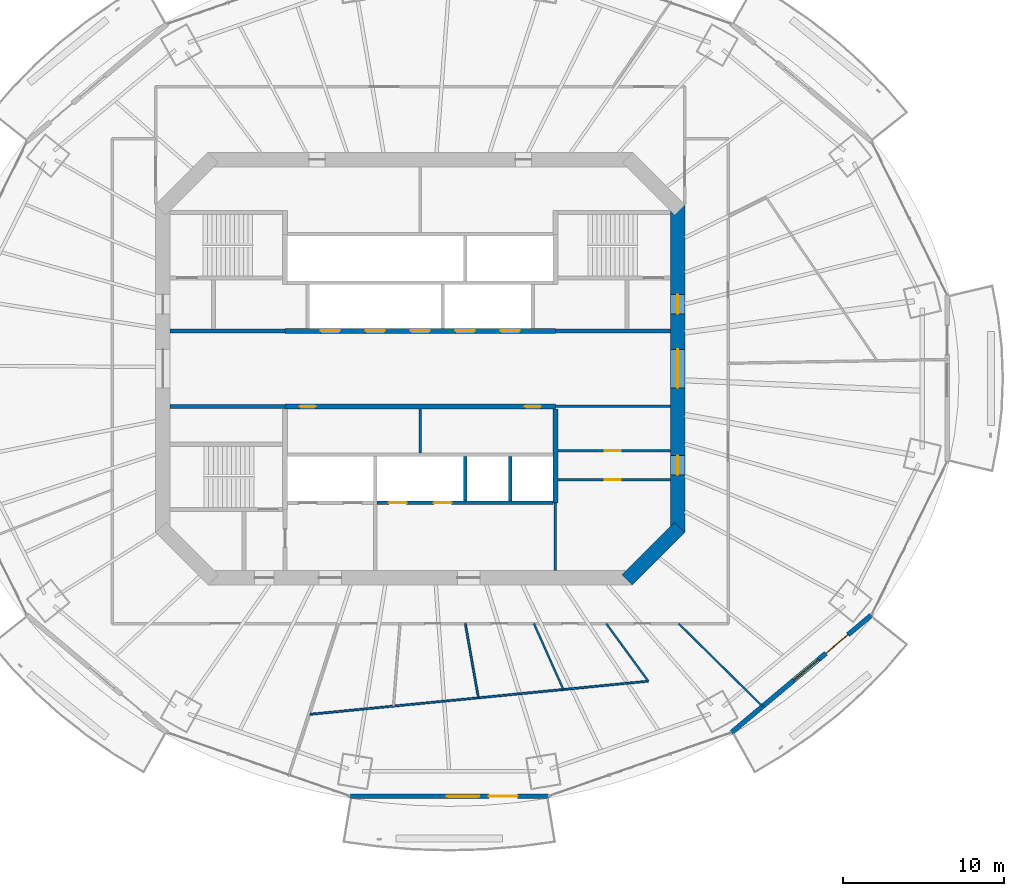
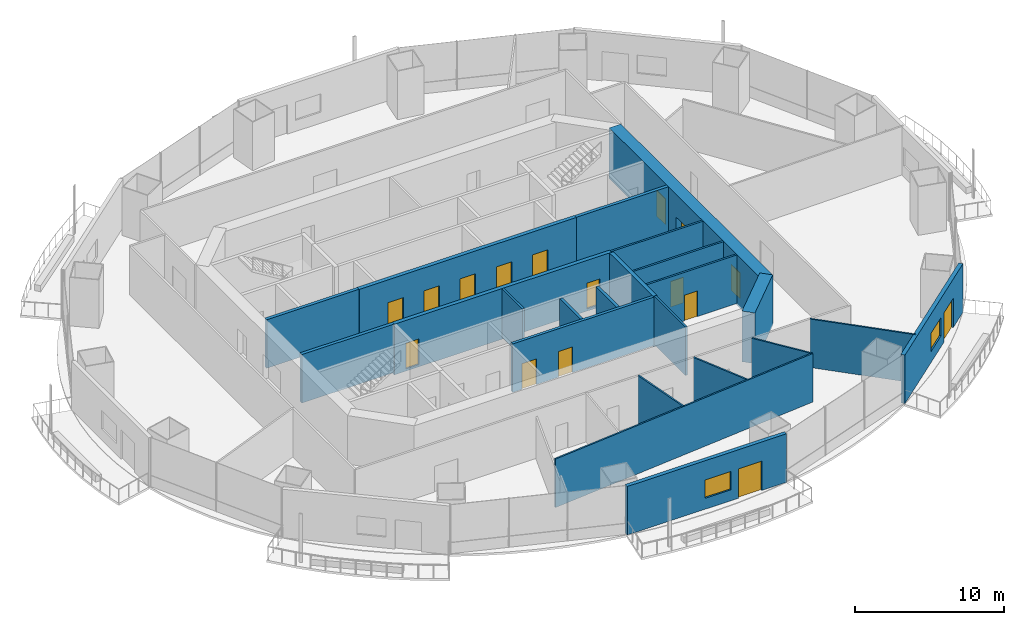
# One storey, part 13 of 21: 23 walls, 16 doors, 2 windows, 18 openings.
"""IFC4 building model written with IfcOpenShell, lengths in metres."""

from ifc_helpers import new_model, si_unit, direction, frame, frame_2d, origin, place, context, subcontext, project, spatial, rectangle, extrude, material, layer, layer_set, type_object, element, fill, save


model = new_model("IFC4")

# Units and contexts
model_context = context("Model", 3, precision=1e-05, world=origin(), true_north=direction((0.0, 1.0)))
body_context = subcontext(model_context, "Body", "Model", "MODEL_VIEW")
ifc_project = project(units=[si_unit("LENGTHUNIT", "METRE"), si_unit("AREAUNIT", "SQUARE_METRE"), si_unit("VOLUMEUNIT", "CUBIC_METRE"), si_unit("PLANEANGLEUNIT", "RADIAN"), si_unit("MASSUNIT", "GRAM", prefix="KILO")], contexts=[model_context])

# Site, building, storey
site_placement = place(None, origin())
site = spatial("IfcSite", under=ifc_project, at=site_placement, CompositionType="ELEMENT")
building_placement = place(site_placement, origin())
building = spatial("IfcBuilding", under=site, at=building_placement, Name="Marenthal Gate Tower", CompositionType="ELEMENT")
storey_placement = place(building_placement, frame((0.0, 0.0, 206.699951171875)))
storey = spatial("IfcBuildingStorey", under=building, at=storey_placement, Name="L45", CompositionType="ELEMENT", Elevation=206.699951171875)

# Wall
ifc_material_1 = material(Name="Concrete 60 MPa", Category="concrete")
ifc_layer_1 = layer(ifc_material_1, 0.89990234375)
ifc_layer_set_1 = layer_set([ifc_layer_1], Name="Core shear wall 900")
wall_type_1 = type_object("IfcWallType", Name="Core shear wall 900", PredefinedType="SHEAR", material=ifc_layer_set_1)
wall_1_placement = place(storey_placement, frame((12.8681640625, -13.1318359375, -0.179931640625), z_axis=(0.0, 0.0, 1.0), x_axis=(0.707106781187, 0.707106781187, 0.0)))
element("IfcWall", 1, at=wall_1_placement, inside=storey, type_object=wall_type_1, Name="Core wall 01", PredefinedType="SHEAR", context=body_context, shape_type="SweptSolid", body=[
    extrude(rectangle(XDim=4.615478515625, YDim=0.89990234375, at=frame_2d((2.3076171875, 0.0))), origin(), (0.0, 0.0, 1.0), 4.14990234375),
])

# Wall, openings, doors
wall_2_placement = place(storey_placement, frame((16.0, -10.186279296875, -0.179931640625), z_axis=(0.0, 0.0, 1.0), x_axis=(0.0, 1.0, 0.0)))
wall_2 = element("IfcWall", 2, at=wall_2_placement, inside=storey, type_object=wall_type_1, Name="Core wall 02", PredefinedType="SHEAR", context=body_context, shape_type="SweptSolid", body=[
    extrude(rectangle(XDim=20.37255859375, YDim=0.89990234375, at=frame_2d((10.186279296875, 0.0))), origin(), (0.0, 0.0, 1.0), 4.14990234375),
])
opening_1_placement = place(wall_2_placement, frame((8.986328125, 0.0, 0.179931640625)))
opening_1 = element("IfcOpeningElement", 3, at=opening_1_placement, cuts=wall_2, Name="Opening D003.02", PredefinedType="OPENING", context=body_context, shape_type="SweptSolid", body=[
    extrude(rectangle(XDim=2.39990234375, YDim=2.10009765625, at=frame_2d((1.199951171875, 1.050048828125))), frame((0.0, 0.4599609375, 0.0), z_axis=(0.0, -1.0, 0.0), x_axis=(1.0, 0.0, 0.0)), (0.0, 0.0, 1.0), 0.919921875),
])
opening_2_placement = place(wall_2_placement, frame((13.58642578125, 0.0, 0.179931640625)))
opening_2 = element("IfcOpeningElement", 4, at=opening_2_placement, cuts=wall_2, Name="Opening D001.05", PredefinedType="OPENING", context=body_context, shape_type="SweptSolid", body=[
    extrude(rectangle(XDim=1.199951171875, YDim=2.10009765625, at=frame_2d((0.60009765625, 1.050048828125))), frame((0.0, 0.4599609375, 0.0), z_axis=(0.0, -1.0, 0.0), x_axis=(1.0, 0.0, 0.0)), (0.0, 0.0, 1.0), 0.919921875),
])
opening_3_placement = place(wall_2_placement, frame((3.58642578125, 0.0, 0.179931640625)))
opening_3 = element("IfcOpeningElement", 5, at=opening_3_placement, cuts=wall_2, Name="Opening D006.01", PredefinedType="OPENING", context=body_context, shape_type="SweptSolid", body=[
    extrude(rectangle(XDim=1.199951171875, YDim=2.10009765625, at=frame_2d((0.60009765625, 1.050048828125))), frame((0.0, 0.4599609375, 0.0), z_axis=(0.0, -1.0, 0.0), x_axis=(1.0, 0.0, 0.0)), (0.0, 0.0, 1.0), 0.919921875),
])
ifc_material_2 = material(Name="Steel fire door", Category="steel")
door_type_1 = type_object("IfcDoorType", Name="Double fire door FD 45 2400 x 2100", OperationType="DOUBLE_DOOR_SINGLE_SWING", PredefinedType="DOOR", material=ifc_material_2)
door_1_placement = place(opening_1_placement, origin())
door_1 = element("IfcDoor", 6, at=door_1_placement, inside=storey, type_object=door_type_1, Name="Door D003.02", OperationType="DOUBLE_DOOR_SINGLE_SWING", OverallHeight=2.10009765625, OverallWidth=2.39990234375, PredefinedType="DOOR", context=body_context, shape_type="SweptSolid", body=[
    extrude(rectangle(XDim=2.39990234375, YDim=2.10009765625, at=frame_2d((1.199951171875, 1.050048828125))), frame((0.0, 0.02490234375, 0.0), z_axis=(0.0, -1.0, 0.0), x_axis=(1.0, 0.0, 0.0)), (0.0, 0.0, 1.0), 0.050048828125),
])
fill(opening_1, door_1)
ifc_material_3 = material(Name="Steel fire door", Category="steel")
door_type_2 = type_object("IfcDoorType", Name="Fire door FD 45 1200 x 2100", OperationType="NOTDEFINED", PredefinedType="DOOR", material=ifc_material_3)
door_2_placement = place(opening_3_placement, origin())
door_2 = element("IfcDoor", 7, at=door_2_placement, inside=storey, type_object=door_type_2, Name="Door D006.01", OperationType="SINGLE_SWING_RIGHT", OverallHeight=2.10009765625, OverallWidth=1.199951171875, PredefinedType="DOOR", context=body_context, shape_type="SweptSolid", body=[
    extrude(rectangle(XDim=1.199951171875, YDim=2.10009765625, at=frame_2d((0.60009765625, 1.050048828125))), frame((0.0, 0.02490234375, 0.0), z_axis=(0.0, -1.0, 0.0), x_axis=(1.0, 0.0, 0.0)), (0.0, 0.0, 1.0), 0.050048828125),
])
fill(opening_3, door_2)
ifc_material_4 = material(Name="Steel fire door", Category="steel")
door_type_3 = type_object("IfcDoorType", Name="Fire door FD 90 1200 x 2100", OperationType="NOTDEFINED", PredefinedType="DOOR", material=ifc_material_4)
door_3_placement = place(opening_2_placement, origin())
door_3 = element("IfcDoor", 8, at=door_3_placement, inside=storey, type_object=door_type_3, Name="Door D001.05", OperationType="SINGLE_SWING_RIGHT", OverallHeight=2.10009765625, OverallWidth=1.199951171875, PredefinedType="DOOR", context=body_context, shape_type="SweptSolid", body=[
    extrude(rectangle(XDim=1.199951171875, YDim=2.10009765625, at=frame_2d((0.60009765625, 1.050048828125))), frame((0.0, 0.02490234375, 0.0), z_axis=(0.0, -1.0, 0.0), x_axis=(1.0, 0.0, 0.0)), (0.0, 0.0, 1.0), 0.050048828125),
])
fill(opening_2, door_3)

ifc_material_5 = material(Name="Concrete 50 MPa", Category="concrete")
ifc_layer_2 = layer(ifc_material_5, 0.300048828125)
ifc_layer_set_2 = layer_set([ifc_layer_2], Name="Hoistway shear wall 300")
wall_type_2 = type_object("IfcWallType", Name="Hoistway shear wall 300", PredefinedType="SHEAR", material=ifc_layer_set_2)
wall_3_placement = place(storey_placement, frame((-8.39990234375, -2.35009765625, -0.179931640625), z_axis=(0.0, 0.0, 1.0), x_axis=(1.0, 0.0, 0.0)))
wall_3 = element("IfcWall", 9, at=wall_3_placement, inside=storey, type_object=wall_type_2, Name="Hoistway wall 17", PredefinedType="SHEAR", context=body_context, shape_type="SweptSolid", body=[
    extrude(rectangle(XDim=16.7998046875, YDim=0.300048828125, at=frame_2d((8.39990234375, 0.0))), origin(), (0.0, 0.0, 1.0), 4.14990234375),
])
opening_4_placement = place(wall_3_placement, frame((0.89990234375, 0.0, 0.179931640625)))
opening_4 = element("IfcOpeningElement", 10, at=opening_4_placement, cuts=wall_3, Name="Opening D005.01", PredefinedType="OPENING", context=body_context, shape_type="SweptSolid", body=[
    extrude(rectangle(XDim=1.0, YDim=2.10009765625, at=frame_2d((0.5, 1.050048828125))), frame((0.0, 0.16015625, 0.0), z_axis=(0.0, -1.0, 0.0), x_axis=(1.0, 0.0, 0.0)), (0.0, 0.0, 1.0), 0.320068359375),
])
opening_5_placement = place(wall_3_placement, frame((14.89990234375, 0.0, 0.179931640625)))
opening_5 = element("IfcOpeningElement", 11, at=opening_5_placement, cuts=wall_3, Name="Opening D005.02", PredefinedType="OPENING", context=body_context, shape_type="SweptSolid", body=[
    extrude(rectangle(XDim=1.0, YDim=2.10009765625, at=frame_2d((0.5, 1.050048828125))), frame((0.0, 0.16015625, 0.0), z_axis=(0.0, -1.0, 0.0), x_axis=(1.0, 0.0, 0.0)), (0.0, 0.0, 1.0), 0.320068359375),
])
ifc_material_6 = material(Name="Steel fire door", Category="steel")
door_type_4 = type_object("IfcDoorType", Name="Fire door FD 45 1000 x 2100", OperationType="NOTDEFINED", PredefinedType="DOOR", material=ifc_material_6)
door_4_placement = place(opening_4_placement, frame((1.0, 0.0, 0.0), z_axis=(0.0, 0.0, 1.0), x_axis=(-1.0, 0.0, 0.0)))
door_4 = element("IfcDoor", 12, at=door_4_placement, inside=storey, type_object=door_type_4, Name="Door D005.01", OperationType="SINGLE_SWING_LEFT", OverallHeight=2.10009765625, OverallWidth=1.0, PredefinedType="DOOR", context=body_context, shape_type="SweptSolid", body=[
    extrude(rectangle(XDim=1.0, YDim=2.10009765625, at=frame_2d((0.5, 1.050048828125))), frame((0.0, 0.02490234375, 0.0), z_axis=(0.0, -1.0, 0.0), x_axis=(1.0, 0.0, 0.0)), (0.0, 0.0, 1.0), 0.050048828125),
])
fill(opening_4, door_4)
door_5_placement = place(opening_5_placement, frame((1.0, 0.0, 0.0), z_axis=(0.0, 0.0, 1.0), x_axis=(-1.0, 0.0, 0.0)))
door_5 = element("IfcDoor", 13, at=door_5_placement, inside=storey, type_object=door_type_4, Name="Door D005.02", OperationType="SINGLE_SWING_LEFT", OverallHeight=2.10009765625, OverallWidth=1.0, PredefinedType="DOOR", context=body_context, shape_type="SweptSolid", body=[
    extrude(rectangle(XDim=1.0, YDim=2.10009765625, at=frame_2d((0.5, 1.050048828125))), frame((0.0, 0.02490234375, 0.0), z_axis=(0.0, -1.0, 0.0), x_axis=(1.0, 0.0, 0.0)), (0.0, 0.0, 1.0), 0.050048828125),
])
fill(opening_5, door_5)

wall_4_placement = place(storey_placement, frame((-8.39990234375, 2.35009765625, -0.179931640625), z_axis=(0.0, 0.0, 1.0), x_axis=(1.0, 0.0, 0.0)))
wall_4 = element("IfcWall", 14, at=wall_4_placement, inside=storey, type_object=wall_type_2, Name="Hoistway wall 20", PredefinedType="SHEAR", context=body_context, shape_type="SweptSolid", body=[
    extrude(rectangle(XDim=16.7998046875, YDim=0.300048828125, at=frame_2d((8.39990234375, 0.0))), origin(), (0.0, 0.0, 1.0), 4.14990234375),
])
opening_6_placement = place(wall_4_placement, frame((2.199951171875, 0.0, 0.179931640625)))
opening_6 = element("IfcOpeningElement", 15, at=opening_6_placement, cuts=wall_4, Name="Opening LD-MP1", PredefinedType="OPENING", context=body_context, shape_type="SweptSolid", body=[
    extrude(rectangle(XDim=1.199951171875, YDim=2.10009765625, at=frame_2d((0.60009765625, 1.050048828125))), frame((0.0, 0.16015625, 0.0), z_axis=(0.0, -1.0, 0.0), x_axis=(1.0, 0.0, 0.0)), (0.0, 0.0, 1.0), 0.320068359375),
])
opening_7_placement = place(wall_4_placement, frame((5.0, 0.0, 0.179931640625)))
opening_7 = element("IfcOpeningElement", 16, at=opening_7_placement, cuts=wall_4, Name="Opening LD-MP2", PredefinedType="OPENING", context=body_context, shape_type="SweptSolid", body=[
    extrude(rectangle(XDim=1.199951171875, YDim=2.10009765625, at=frame_2d((0.60009765625, 1.050048828125))), frame((0.0, 0.16015625, 0.0), z_axis=(0.0, -1.0, 0.0), x_axis=(1.0, 0.0, 0.0)), (0.0, 0.0, 1.0), 0.320068359375),
])
opening_8_placement = place(wall_4_placement, frame((7.800048828125, 0.0, 0.179931640625)))
opening_8 = element("IfcOpeningElement", 17, at=opening_8_placement, cuts=wall_4, Name="Opening LD-MP3", PredefinedType="OPENING", context=body_context, shape_type="SweptSolid", body=[
    extrude(rectangle(XDim=1.199951171875, YDim=2.10009765625, at=frame_2d((0.60009765625, 1.050048828125))), frame((0.0, 0.16015625, 0.0), z_axis=(0.0, -1.0, 0.0), x_axis=(1.0, 0.0, 0.0)), (0.0, 0.0, 1.0), 0.320068359375),
])
opening_9_placement = place(wall_4_placement, frame((10.60009765625, 0.0, 0.179931640625)))
opening_9 = element("IfcOpeningElement", 18, at=opening_9_placement, cuts=wall_4, Name="Opening LD-MP4", PredefinedType="OPENING", context=body_context, shape_type="SweptSolid", body=[
    extrude(rectangle(XDim=1.199951171875, YDim=2.10009765625, at=frame_2d((0.60009765625, 1.050048828125))), frame((0.0, 0.16015625, 0.0), z_axis=(0.0, -1.0, 0.0), x_axis=(1.0, 0.0, 0.0)), (0.0, 0.0, 1.0), 0.320068359375),
])
opening_10_placement = place(wall_4_placement, frame((13.39990234375, 0.0, 0.179931640625)))
opening_10 = element("IfcOpeningElement", 19, at=opening_10_placement, cuts=wall_4, Name="Opening LD-MP5", PredefinedType="OPENING", context=body_context, shape_type="SweptSolid", body=[
    extrude(rectangle(XDim=1.199951171875, YDim=2.10009765625, at=frame_2d((0.60009765625, 1.050048828125))), frame((0.0, 0.16015625, 0.0), z_axis=(0.0, -1.0, 0.0), x_axis=(1.0, 0.0, 0.0)), (0.0, 0.0, 1.0), 0.320068359375),
])
ifc_material_7 = material(Name="Stainless steel sliding door", Category="steel")
door_type_5 = type_object("IfcDoorType", Name="Lift landing door FD 90 1200 x 2100", OperationType="DOUBLE_DOOR_SLIDING", PredefinedType="DOOR", material=ifc_material_7)
door_6_placement = place(opening_6_placement, origin())
door_6 = element("IfcDoor", 20, at=door_6_placement, inside=storey, type_object=door_type_5, Name="Lift landing door MP1", OperationType="DOUBLE_DOOR_SLIDING", OverallHeight=2.10009765625, OverallWidth=1.199951171875, PredefinedType="DOOR", context=body_context, shape_type="SweptSolid", body=[
    extrude(rectangle(XDim=1.199951171875, YDim=2.10009765625, at=frame_2d((0.60009765625, 1.050048828125))), frame((0.0, 0.02490234375, 0.0), z_axis=(0.0, -1.0, 0.0), x_axis=(1.0, 0.0, 0.0)), (0.0, 0.0, 1.0), 0.050048828125),
])
fill(opening_6, door_6)
door_7_placement = place(opening_7_placement, origin())
door_7 = element("IfcDoor", 21, at=door_7_placement, inside=storey, type_object=door_type_5, Name="Lift landing door MP2", OperationType="DOUBLE_DOOR_SLIDING", OverallHeight=2.10009765625, OverallWidth=1.199951171875, PredefinedType="DOOR", context=body_context, shape_type="SweptSolid", body=[
    extrude(rectangle(XDim=1.199951171875, YDim=2.10009765625, at=frame_2d((0.60009765625, 1.050048828125))), frame((0.0, 0.02490234375, 0.0), z_axis=(0.0, -1.0, 0.0), x_axis=(1.0, 0.0, 0.0)), (0.0, 0.0, 1.0), 0.050048828125),
])
fill(opening_7, door_7)
door_8_placement = place(opening_8_placement, origin())
door_8 = element("IfcDoor", 22, at=door_8_placement, inside=storey, type_object=door_type_5, Name="Lift landing door MP3", OperationType="DOUBLE_DOOR_SLIDING", OverallHeight=2.10009765625, OverallWidth=1.199951171875, PredefinedType="DOOR", context=body_context, shape_type="SweptSolid", body=[
    extrude(rectangle(XDim=1.199951171875, YDim=2.10009765625, at=frame_2d((0.60009765625, 1.050048828125))), frame((0.0, 0.02490234375, 0.0), z_axis=(0.0, -1.0, 0.0), x_axis=(1.0, 0.0, 0.0)), (0.0, 0.0, 1.0), 0.050048828125),
])
fill(opening_8, door_8)
door_9_placement = place(opening_9_placement, origin())
door_9 = element("IfcDoor", 23, at=door_9_placement, inside=storey, type_object=door_type_5, Name="Lift landing door MP4", OperationType="DOUBLE_DOOR_SLIDING", OverallHeight=2.10009765625, OverallWidth=1.199951171875, PredefinedType="DOOR", context=body_context, shape_type="SweptSolid", body=[
    extrude(rectangle(XDim=1.199951171875, YDim=2.10009765625, at=frame_2d((0.60009765625, 1.050048828125))), frame((0.0, 0.02490234375, 0.0), z_axis=(0.0, -1.0, 0.0), x_axis=(1.0, 0.0, 0.0)), (0.0, 0.0, 1.0), 0.050048828125),
])
fill(opening_9, door_9)
door_10_placement = place(opening_10_placement, origin())
door_10 = element("IfcDoor", 24, at=door_10_placement, inside=storey, type_object=door_type_5, Name="Lift landing door MP5", OperationType="DOUBLE_DOOR_SLIDING", OverallHeight=2.10009765625, OverallWidth=1.199951171875, PredefinedType="DOOR", context=body_context, shape_type="SweptSolid", body=[
    extrude(rectangle(XDim=1.199951171875, YDim=2.10009765625, at=frame_2d((0.60009765625, 1.050048828125))), frame((0.0, 0.02490234375, 0.0), z_axis=(0.0, -1.0, 0.0), x_axis=(1.0, 0.0, 0.0)), (0.0, 0.0, 1.0), 0.050048828125),
])
fill(opening_10, door_10)

# Wall
wall_5_placement = place(storey_placement, frame((8.39990234375, -8.35009765625, -0.179931640625), z_axis=(0.0, 0.0, 1.0), x_axis=(0.0, 1.0, 0.0)))
element("IfcWall", 25, at=wall_5_placement, inside=storey, type_object=wall_type_2, Name="Hoistway wall 45", PredefinedType="SHEAR", context=body_context, shape_type="SweptSolid", body=[
    extrude(rectangle(XDim=5.85009765625, YDim=0.300048828125, at=frame_2d((2.925048828125, 0.0))), origin(), (0.0, 0.0, 1.0), 4.14990234375),
])

# Wall, openings, doors
ifc_material_8 = material(Name="Concrete 40 MPa", Category="concrete")
ifc_layer_3 = layer(ifc_material_8, 0.219970703125)
ifc_layer_set_3 = layer_set([ifc_layer_3], Name="Hoistway wall 220")
wall_type_3 = type_object("IfcWallType", Name="Hoistway wall 220", PredefinedType="STANDARD", material=ifc_layer_set_3)
wall_6_placement = place(storey_placement, frame((-2.68994140625, -8.35009765625, 0.0), z_axis=(0.0, 0.0, 1.0), x_axis=(1.0, 0.0, 0.0)))
wall_6 = element("IfcWall", 26, at=wall_6_placement, inside=storey, type_object=wall_type_3, Name="Hoistway wall 11", PredefinedType="STANDARD", context=body_context, shape_type="SweptSolid", body=[
    extrude(rectangle(XDim=10.93994140625, YDim=0.219970703125, at=frame_2d((5.469970703125, 0.0))), origin(), (0.0, 0.0, 1.0), 3.969970703125),
])
opening_11_placement = place(wall_6_placement, frame((0.739990234375, 0.0, 0.0)))
opening_11 = element("IfcOpeningElement", 27, at=opening_11_placement, cuts=wall_6, Name="Opening LD-SV1", PredefinedType="OPENING", context=body_context, shape_type="SweptSolid", body=[
    extrude(rectangle(XDim=1.10009765625, YDim=2.10009765625, at=frame_2d((0.550048828125, 1.050048828125))), frame((0.0, 0.1201171875, 0.0), z_axis=(0.0, -1.0, 0.0), x_axis=(1.0, 0.0, 0.0)), (0.0, 0.0, 1.0), 0.239990234375),
])
opening_12_placement = place(wall_6_placement, frame((3.5400390625, 0.0, 0.0)))
opening_12 = element("IfcOpeningElement", 28, at=opening_12_placement, cuts=wall_6, Name="Opening LD-SV2", PredefinedType="OPENING", context=body_context, shape_type="SweptSolid", body=[
    extrude(rectangle(XDim=1.10009765625, YDim=2.10009765625, at=frame_2d((0.550048828125, 1.050048828125))), frame((0.0, 0.1201171875, 0.0), z_axis=(0.0, -1.0, 0.0), x_axis=(1.0, 0.0, 0.0)), (0.0, 0.0, 1.0), 0.239990234375),
])
ifc_material_9 = material(Name="Stainless steel sliding door", Category="steel")
door_type_6 = type_object("IfcDoorType", Name="Lift landing door FD 90 1100 x 2100", OperationType="DOUBLE_DOOR_SLIDING", PredefinedType="DOOR", material=ifc_material_9)
door_11_placement = place(opening_11_placement, origin())
door_11 = element("IfcDoor", 29, at=door_11_placement, inside=storey, type_object=door_type_6, Name="Lift landing door SV1", OperationType="DOUBLE_DOOR_SLIDING", OverallHeight=2.10009765625, OverallWidth=1.10009765625, PredefinedType="DOOR", context=body_context, shape_type="SweptSolid", body=[
    extrude(rectangle(XDim=1.10009765625, YDim=2.10009765625, at=frame_2d((0.550048828125, 1.050048828125))), frame((0.0, 0.02490234375, 0.0), z_axis=(0.0, -1.0, 0.0), x_axis=(1.0, 0.0, 0.0)), (0.0, 0.0, 1.0), 0.050048828125),
])
fill(opening_11, door_11)
door_12_placement = place(opening_12_placement, origin())
door_12 = element("IfcDoor", 30, at=door_12_placement, inside=storey, type_object=door_type_6, Name="Lift landing door SV2", OperationType="DOUBLE_DOOR_SLIDING", OverallHeight=2.10009765625, OverallWidth=1.10009765625, PredefinedType="DOOR", context=body_context, shape_type="SweptSolid", body=[
    extrude(rectangle(XDim=1.10009765625, YDim=2.10009765625, at=frame_2d((0.550048828125, 1.050048828125))), frame((0.0, 0.02490234375, 0.0), z_axis=(0.0, -1.0, 0.0), x_axis=(1.0, 0.0, 0.0)), (0.0, 0.0, 1.0), 0.050048828125),
])
fill(opening_12, door_12)

# Walls
for number, where, z_axis, x_axis, name in (
    (31, (2.800048828125, -8.239990234375, 0.0), (0.0, 0.0, 1.0), (0.0, 1.0, 0.0), "Hoistway wall 40"),
    (32, (5.60009765625, -8.239990234375, 0.0), (0.0, 0.0, 1.0), (0.0, 1.0, 0.0), "Hoistway wall 42"),
):
    element("IfcWall", number, at=place(storey_placement, frame(where, z_axis=z_axis, x_axis=x_axis)), inside=storey, type_object=wall_type_3, Name=name, PredefinedType="STANDARD", context=body_context, shape_type="SweptSolid", body=[
        extrude(rectangle(XDim=2.780029296875, YDim=0.219970703125, at=frame_2d((1.39013671875, 0.0))), origin(), (0.0, 0.0, 1.0), 3.969970703125),
    ])
ifc_material_10 = material(Name="Gypsum board on steel studs", Category="steel")
ifc_layer_4 = layer(ifc_material_10, 0.1201171875)
ifc_layer_set_4 = layer_set([ifc_layer_4], Name="Partition 120")
wall_type_4 = type_object("IfcWallType", Name="Partition 120", PredefinedType="PARTITIONING", material=ifc_layer_set_4)
wall_7_placement = place(storey_placement, frame((-6.946044921875, -21.498291015625, 0.0), z_axis=(0.0, 0.0, 1.0), x_axis=(0.995245004441, 0.097403188531, 0.0)))
element("IfcWall", 33, at=wall_7_placement, inside=storey, type_object=wall_type_4, Name="Partition wall 54", PredefinedType="PARTITIONING", context=body_context, shape_type="SweptSolid", body=[
    extrude(rectangle(XDim=21.222412109375, YDim=0.1201171875, at=frame_2d((10.611328125, 0.0))), origin(), (0.0, 0.0, 1.0), 3.969970703125),
])
wall_8_placement = place(storey_placement, frame((3.61474609375, -20.464599609375, 0.0), z_axis=(0.0, 0.0, 1.0), x_axis=(-0.173913137247, 0.984760996736, 0.0)))
element("IfcWall", 34, at=wall_8_placement, inside=storey, type_object=wall_type_4, Name="Partition wall 57", PredefinedType="PARTITIONING", context=body_context, shape_type="SweptSolid", body=[
    extrude(rectangle(XDim=4.685791015625, YDim=0.1201171875, at=frame_2d((2.3427734375, 0.0))), origin(), (0.0, 0.0, 1.0), 3.969970703125),
])
wall_9_placement = place(storey_placement, frame((8.89501953125, -19.947998046875, 0.0), z_axis=(0.0, 0.0, 1.0), x_axis=(-0.407228685497, 0.913326227428, 0.0)))
element("IfcWall", 35, at=wall_9_placement, inside=storey, type_object=wall_type_4, Name="Partition wall 58", PredefinedType="PARTITIONING", context=body_context, shape_type="SweptSolid", body=[
    extrude(rectangle(XDim=4.48681640625, YDim=0.1201171875, at=frame_2d((2.243408203125, 0.0))), origin(), (0.0, 0.0, 1.0), 3.969970703125),
])
wall_10_placement = place(storey_placement, frame((14.175537109375, -19.43115234375, 0.0), z_axis=(0.0, 0.0, 1.0), x_axis=(-0.589372905267, 0.807861113396, 0.0)))
element("IfcWall", 36, at=wall_10_placement, inside=storey, type_object=wall_type_4, Name="Partition wall 60", PredefinedType="PARTITIONING", context=body_context, shape_type="SweptSolid", body=[
    extrude(rectangle(XDim=4.432861328125, YDim=0.1201171875, at=frame_2d((2.21630859375, 0.0))), origin(), (0.0, 0.0, 1.0), 3.969970703125),
])
wall_11_placement = place(storey_placement, frame((16.063720703125, -15.85009765625, 0.0), z_axis=(0.0, 0.0, 1.0), x_axis=(0.71183576694, -0.702345955284, 0.0)))
element("IfcWall", 37, at=wall_11_placement, inside=storey, type_object=wall_type_4, Name="Partition wall 61", PredefinedType="PARTITIONING", context=body_context, shape_type="SweptSolid", body=[
    extrude(rectangle(XDim=7.33203125, YDim=0.1201171875, at=frame_2d((3.666015625, 0.0))), origin(), (0.0, 0.0, 1.0), 3.969970703125),
])

# Wall, opening, door
ifc_material_11 = material(Name="Gypsum board on steel studs", Category="steel")
ifc_layer_5 = layer(ifc_material_11, 0.14990234375)
ifc_layer_set_5 = layer_set([ifc_layer_5], Name="Partition 150")
wall_type_5 = type_object("IfcWallType", Name="Partition 150", PredefinedType="PARTITIONING", material=ifc_layer_set_5)
wall_12_placement = place(storey_placement, frame((8.550048828125, -6.89990234375, 0.0), z_axis=(0.0, 0.0, 1.0), x_axis=(1.0, 0.0, 0.0)))
wall_12 = element("IfcWall", 38, at=wall_12_placement, inside=storey, type_object=wall_type_5, Name="Partition wall 12", PredefinedType="PARTITIONING", context=body_context, shape_type="SweptSolid", body=[
    extrude(rectangle(XDim=7.0, YDim=0.14990234375, at=frame_2d((3.5, 0.0))), origin(), (0.0, 0.0, 1.0), 3.969970703125),
])
opening_13_placement = place(wall_12_placement, frame((2.925048828125, 0.0, 0.0)))
opening_13 = element("IfcOpeningElement", 39, at=opening_13_placement, cuts=wall_12, Name="Opening D005.06", PredefinedType="OPENING", context=body_context, shape_type="SweptSolid", body=[
    extrude(rectangle(XDim=1.0, YDim=2.10009765625, at=frame_2d((0.5, 1.050048828125))), frame((0.0, 0.0849609375, 0.0), z_axis=(0.0, -1.0, 0.0), x_axis=(1.0, 0.0, 0.0)), (0.0, 0.0, 1.0), 0.169921875),
])
door_13_placement = place(opening_13_placement, frame((1.0, 0.0, 0.0), z_axis=(0.0, 0.0, 1.0), x_axis=(-1.0, 0.0, 0.0)))
door_13 = element("IfcDoor", 40, at=door_13_placement, inside=storey, type_object=door_type_4, Name="Door D005.06", OperationType="SINGLE_SWING_LEFT", OverallHeight=2.10009765625, OverallWidth=1.0, PredefinedType="DOOR", context=body_context, shape_type="SweptSolid", body=[
    extrude(rectangle(XDim=1.0, YDim=2.10009765625, at=frame_2d((0.5, 1.050048828125))), frame((0.0, 0.02490234375, 0.0), z_axis=(0.0, -1.0, 0.0), x_axis=(1.0, 0.0, 0.0)), (0.0, 0.0, 1.0), 0.050048828125),
])
fill(opening_13, door_13)

wall_13_placement = place(storey_placement, frame((8.550048828125, -5.10009765625, 0.0), z_axis=(0.0, 0.0, 1.0), x_axis=(1.0, 0.0, 0.0)))
wall_13 = element("IfcWall", 41, at=wall_13_placement, inside=storey, type_object=wall_type_5, Name="Partition wall 14", PredefinedType="PARTITIONING", context=body_context, shape_type="SweptSolid", body=[
    extrude(rectangle(XDim=7.0, YDim=0.14990234375, at=frame_2d((3.5, 0.0))), origin(), (0.0, 0.0, 1.0), 3.969970703125),
])
opening_14_placement = place(wall_13_placement, frame((2.925048828125, 0.0, 0.0)))
opening_14 = element("IfcOpeningElement", 42, at=opening_14_placement, cuts=wall_13, Name="Opening D005.05", PredefinedType="OPENING", context=body_context, shape_type="SweptSolid", body=[
    extrude(rectangle(XDim=1.0, YDim=2.10009765625, at=frame_2d((0.5, 1.050048828125))), frame((0.0, 0.0849609375, 0.0), z_axis=(0.0, -1.0, 0.0), x_axis=(1.0, 0.0, 0.0)), (0.0, 0.0, 1.0), 0.169921875),
])
door_14_placement = place(opening_14_placement, origin())
door_14 = element("IfcDoor", 43, at=door_14_placement, inside=storey, type_object=door_type_4, Name="Door D005.05", OperationType="SINGLE_SWING_RIGHT", OverallHeight=2.10009765625, OverallWidth=1.0, PredefinedType="DOOR", context=body_context, shape_type="SweptSolid", body=[
    extrude(rectangle(XDim=1.0, YDim=2.10009765625, at=frame_2d((0.5, 1.050048828125))), frame((0.0, 0.02490234375, 0.0), z_axis=(0.0, -1.0, 0.0), x_axis=(1.0, 0.0, 0.0)), (0.0, 0.0, 1.0), 0.050048828125),
])
fill(opening_14, door_14)

# Walls
wall_14_placement = place(storey_placement, frame((8.39990234375, -2.35009765625, 0.0), z_axis=(0.0, 0.0, 1.0), x_axis=(1.0, 0.0, 0.0)))
element("IfcWall", 44, at=wall_14_placement, inside=storey, type_object=wall_type_5, Name="Partition wall 18", PredefinedType="PARTITIONING", context=body_context, shape_type="SweptSolid", body=[
    extrude(rectangle(XDim=7.150146484375, YDim=0.14990234375, at=frame_2d((3.5751953125, 0.0))), origin(), (0.0, 0.0, 1.0), 3.969970703125),
])
wall_15_placement = place(storey_placement, frame((0.0, -5.239990234375, 0.0), z_axis=(0.0, 0.0, 1.0), x_axis=(0.0, 1.0, 0.0)))
element("IfcWall", 45, at=wall_15_placement, inside=storey, type_object=wall_type_5, Name="Partition wall 37", PredefinedType="PARTITIONING", context=body_context, shape_type="SweptSolid", body=[
    extrude(rectangle(XDim=2.739990234375, YDim=0.14990234375, at=frame_2d((1.3701171875, 0.0))), origin(), (0.0, 0.0, 1.0), 3.969970703125),
])
wall_16_placement = place(storey_placement, frame((8.39990234375, -12.550048828125, 0.0), z_axis=(0.0, 0.0, 1.0), x_axis=(0.0, 1.0, 0.0)))
element("IfcWall", 46, at=wall_16_placement, inside=storey, type_object=wall_type_5, Name="Partition wall 44", PredefinedType="PARTITIONING", context=body_context, shape_type="SweptSolid", body=[
    extrude(rectangle(XDim=4.199951171875, YDim=0.14990234375, at=frame_2d((2.10009765625, 0.0))), origin(), (0.0, 0.0, 1.0), 3.969970703125),
])
ifc_material_12 = material(Name="Concrete 40 MPa", Category="concrete")
ifc_layer_6 = layer(ifc_material_12, 0.25)
ifc_layer_set_6 = layer_set([ifc_layer_6], Name="Stair enclosure wall 250")
wall_type_6 = type_object("IfcWallType", Name="Stair enclosure wall 250", PredefinedType="STANDARD", material=ifc_layer_set_6)
for number, where, z_axis, x_axis, name in (
    (47, (-15.550048828125, -2.35009765625, 0.0), (0.0, 0.0, 1.0), (1.0, 0.0, 0.0), "Stair wall 16"),
    (48, (-15.550048828125, 2.35009765625, 0.0), (0.0, 0.0, 1.0), (1.0, 0.0, 0.0), "Stair wall 19"),
    (49, (8.39990234375, 2.35009765625, 0.0), (0.0, 0.0, 1.0), (1.0, 0.0, 0.0), "Stair wall 21"),
):
    element("IfcWall", number, at=place(storey_placement, frame(where, z_axis=z_axis, x_axis=x_axis)), inside=storey, type_object=wall_type_6, Name=name, PredefinedType="STANDARD", context=body_context, shape_type="SweptSolid", body=[
        extrude(rectangle(XDim=7.150146484375, YDim=0.25, at=frame_2d((3.5751953125, 0.0))), origin(), (0.0, 0.0, 1.0), 3.969970703125),
    ])

# Wall, openings, door, window
ifc_material_13 = material(Name="Terracotta cladding on insulated concrete-block backing", Category="masonry")
ifc_layer_7 = layer(ifc_material_13, 0.300048828125)
ifc_layer_set_7 = layer_set([ifc_layer_7], Name="Terracotta facade wall 300")
wall_type_7 = type_object("IfcWallType", Name="Terracotta facade wall 300", PredefinedType="SOLIDWALL", material=ifc_layer_set_7)
wall_17_placement = place(storey_placement, frame((-4.359375, -26.5859375, 0.0), z_axis=(0.0, 0.0, 1.0), x_axis=(1.0, 0.0, 0.0)))
wall_17 = element("IfcWall", 50, at=wall_17_placement, inside=storey, type_object=wall_type_7, Name="Terracotta facade wall L45 bay 12", PredefinedType="SOLIDWALL", context=body_context, shape_type="SweptSolid", body=[
    extrude(rectangle(XDim=12.31884765625, YDim=0.300048828125, at=frame_2d((6.159423828125, 0.0))), origin(), (0.0, 0.0, 1.0), 3.969970703125),
])
opening_15_placement = place(wall_17_placement, frame((8.618896484375, 0.0, 0.0)))
opening_15 = element("IfcOpeningElement", 51, at=opening_15_placement, cuts=wall_17, Name="Opening BD-L45-12", PredefinedType="OPENING", context=body_context, shape_type="SweptSolid", body=[
    extrude(rectangle(XDim=1.800048828125, YDim=2.39990234375, at=frame_2d((0.89990234375, 1.199951171875))), frame((0.0, 0.16015625, 0.0), z_axis=(0.0, -1.0, 0.0), x_axis=(1.0, 0.0, 0.0)), (0.0, 0.0, 1.0), 0.320068359375),
])
opening_16_placement = place(wall_17_placement, frame((6.018798828125, 0.0, 0.89990234375)))
opening_16 = element("IfcOpeningElement", 52, at=opening_16_placement, cuts=wall_17, Name="Opening WN2-L45-12", PredefinedType="OPENING", context=body_context, shape_type="SweptSolid", body=[
    extrude(rectangle(XDim=2.0, YDim=1.5, at=frame_2d((1.0, 0.75))), frame((0.0, 0.16015625, 0.0), z_axis=(0.0, -1.0, 0.0), x_axis=(1.0, 0.0, 0.0)), (0.0, 0.0, 1.0), 0.320068359375),
])
ifc_material_14 = material(Name="Aluminium and glass", Category="aluminium")
door_type_7 = type_object("IfcDoorType", Name="Balcony door 1800x2400", OperationType="DOUBLE_DOOR_SINGLE_SWING", PredefinedType="DOOR", material=ifc_material_14)
door_15_placement = place(opening_15_placement, origin())
door_15 = element("IfcDoor", 53, at=door_15_placement, inside=storey, type_object=door_type_7, Name="Balcony door L45 bay 12", OperationType="SINGLE_SWING_LEFT", OverallHeight=2.39990234375, OverallWidth=1.800048828125, PredefinedType="DOOR", context=body_context, shape_type="SweptSolid", body=[
    extrude(rectangle(XDim=1.800048828125, YDim=2.39990234375, at=frame_2d((0.89990234375, 1.199951171875))), frame((0.0, 0.02490234375, 0.0), z_axis=(0.0, -1.0, 0.0), x_axis=(1.0, 0.0, 0.0)), (0.0, 0.0, 1.0), 0.050048828125),
])
fill(opening_15, door_15)
ifc_material_15 = material(Name="Aluminium and glass", Category="aluminium")
window_type = type_object("IfcWindowType", Name="Window 2000x1500", PartitioningType="DOUBLE_PANEL_VERTICAL", PredefinedType="WINDOW", material=ifc_material_15)
window_1_placement = place(opening_16_placement, origin())
window_1 = element("IfcWindow", 54, at=window_1_placement, inside=storey, type_object=window_type, Name="Window L45 bay 12", OverallHeight=1.5, OverallWidth=2.0, PartitioningType="SINGLE_PANEL", PredefinedType="WINDOW", context=body_context, shape_type="SweptSolid", body=[
    extrude(rectangle(XDim=2.0, YDim=1.5, at=frame_2d((1.0, 0.75))), frame((0.0, 0.030029296875, 0.0), z_axis=(0.0, -1.0, 0.0), x_axis=(1.0, 0.0, 0.0)), (0.0, 0.0, 1.0), 0.06005859375),
])
fill(opening_16, window_1)

wall_18_placement = place(storey_placement, frame((19.340576171875, -22.6298828125, 0.0), z_axis=(0.0, 0.0, 1.0), x_axis=(0.766004647457, 0.642835033329, 0.0)))
wall_18 = element("IfcWall", 55, at=wall_18_placement, inside=storey, type_object=wall_type_7, Name="Terracotta facade wall L45 bay 14", PredefinedType="SOLIDWALL", context=body_context, shape_type="SweptSolid", body=[
    extrude(rectangle(XDim=11.37158203125, YDim=0.300048828125, at=frame_2d((5.685791015625, 0.0))), origin(), (0.0, 0.0, 1.0), 3.969970703125),
])
opening_17_placement = place(wall_18_placement, frame((7.671630859375, 0.0, 0.0)))
opening_17 = element("IfcOpeningElement", 56, at=opening_17_placement, cuts=wall_18, Name="Opening BD-L45-14", PredefinedType="OPENING", context=body_context, shape_type="SweptSolid", body=[
    extrude(rectangle(XDim=1.800048828125, YDim=2.39990234375, at=frame_2d((0.89990234375, 1.199951171875))), frame((0.0, 0.16015625, 0.0), z_axis=(0.0, -1.0, 0.0), x_axis=(1.0, 0.0, 0.0)), (0.0, 0.0, 1.0), 0.320068359375),
])
opening_18_placement = place(wall_18_placement, frame((5.071533203125, 0.0, 0.89990234375)))
opening_18 = element("IfcOpeningElement", 57, at=opening_18_placement, cuts=wall_18, Name="Opening WN2-L45-14", PredefinedType="OPENING", context=body_context, shape_type="SweptSolid", body=[
    extrude(rectangle(XDim=2.0, YDim=1.5, at=frame_2d((1.0, 0.75))), frame((0.0, 0.16015625, 0.0), z_axis=(0.0, -1.0, 0.0), x_axis=(1.0, 0.0, 0.0)), (0.0, 0.0, 1.0), 0.320068359375),
])
door_16_placement = place(opening_17_placement, origin())
door_16 = element("IfcDoor", 58, at=door_16_placement, inside=storey, type_object=door_type_7, Name="Balcony door L45 bay 14", OperationType="SINGLE_SWING_LEFT", OverallHeight=2.39990234375, OverallWidth=1.800048828125, PredefinedType="DOOR", context=body_context, shape_type="SweptSolid", body=[
    extrude(rectangle(XDim=1.800048828125, YDim=2.39990234375, at=frame_2d((0.89990234375, 1.199951171875))), frame((0.0, 0.02490234375, 0.0), z_axis=(0.0, -1.0, 0.0), x_axis=(1.0, 0.0, 0.0)), (0.0, 0.0, 1.0), 0.050048828125),
])
fill(opening_17, door_16)
window_2_placement = place(opening_18_placement, origin())
window_2 = element("IfcWindow", 59, at=window_2_placement, inside=storey, type_object=window_type, Name="Window L45 bay 14", OverallHeight=1.5, OverallWidth=2.0, PartitioningType="SINGLE_PANEL", PredefinedType="WINDOW", context=body_context, shape_type="SweptSolid", body=[
    extrude(rectangle(XDim=2.0, YDim=1.5, at=frame_2d((1.0, 0.75))), frame((0.0, 0.030029296875, 0.0), z_axis=(0.0, -1.0, 0.0), x_axis=(1.0, 0.0, 0.0)), (0.0, 0.0, 1.0), 0.06005859375),
])
fill(opening_18, window_2)

save(model, "model.ifc")
